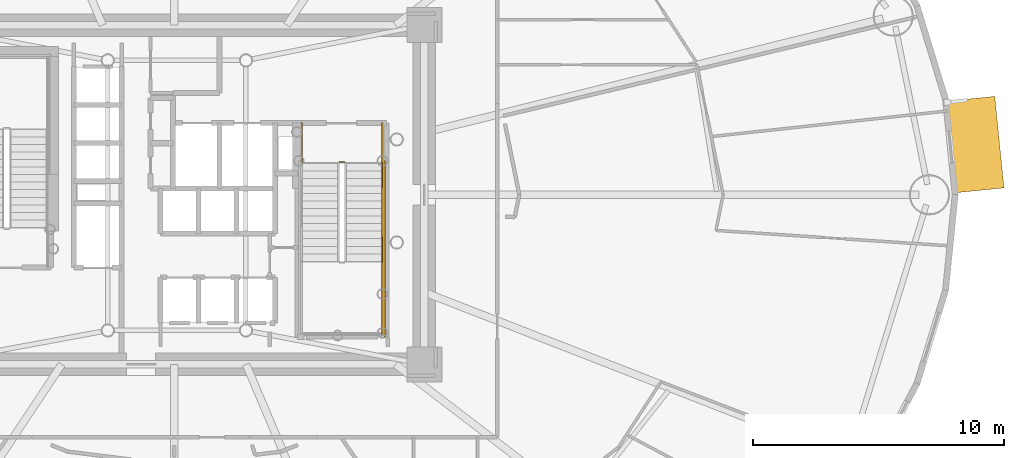
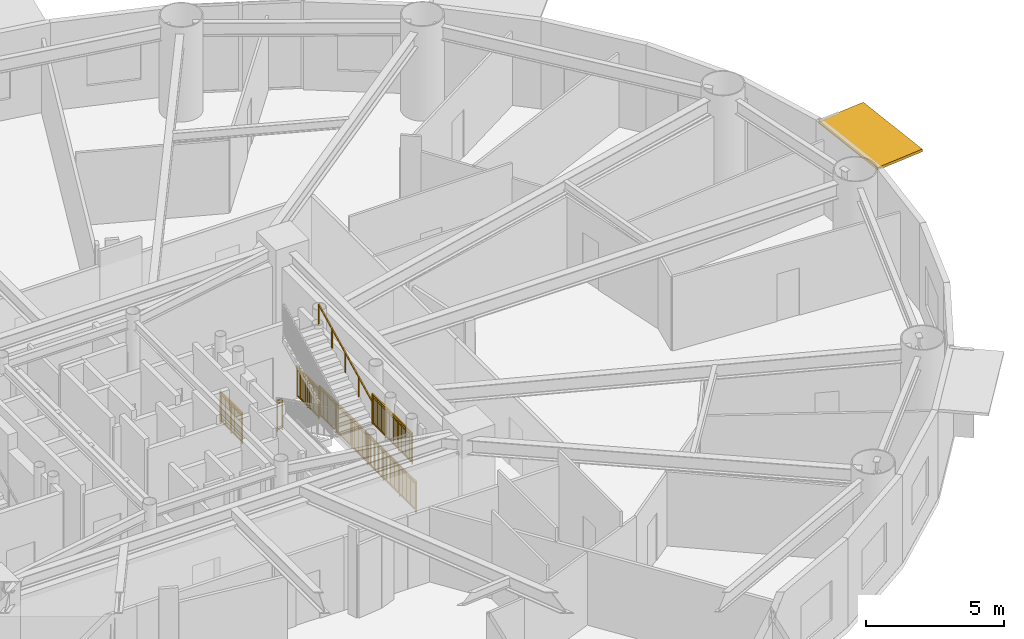
# One storey, part 20 of 21: 6 railings, 1 shading device.
"""IFC4 building model written with IfcOpenShell, lengths in metres."""

from ifc_helpers import new_model, si_unit, direction, frame, origin, origin_2d, place, context, subcontext, project, spatial, rectangle, extrude, source, transform, mapped, material, layer, layer_set, type_object, element, save


model = new_model("IFC4")

# Units and contexts
model_context = context("Model", 3, precision=1e-05, world=origin(), true_north=direction((0.0, 1.0)))
body_context = subcontext(model_context, "Body", "Model", "MODEL_VIEW")
ifc_project = project(units=[si_unit("LENGTHUNIT", "METRE"), si_unit("AREAUNIT", "SQUARE_METRE"), si_unit("VOLUMEUNIT", "CUBIC_METRE"), si_unit("PLANEANGLEUNIT", "RADIAN"), si_unit("MASSUNIT", "GRAM", prefix="KILO")], contexts=[model_context])

# Site, building, storey
site_placement = place(None, origin())
site = spatial("IfcSite", under=ifc_project, at=site_placement, CompositionType="ELEMENT")
building_placement = place(site_placement, origin())
building = spatial("IfcBuilding", under=site, at=building_placement, Name="Linh Dai School and Residence Tower", CompositionType="ELEMENT")
storey_placement = place(building_placement, frame((0.0, 0.0, 82.800048828125)))
storey = spatial("IfcBuildingStorey", under=building, at=storey_placement, Name="L19", CompositionType="ELEMENT", Elevation=82.800048828125)

# Shading device
ifc_material_1 = material(Name="Terracotta Ceramic Sunshade", Category="masonry")
ifc_layer = layer(ifc_material_1, 0.1201171875)
ifc_layer_set = layer_set([ifc_layer], Name="Terracotta Ceramic Sunshade")
shading_device_type = type_object("IfcShadingDeviceType", Name="SHD-TC-2000", PredefinedType="USERDEFINED", material=ifc_layer_set)
shared_shape_1 = source(origin(), body_context, "Body", "SweptSolid", [
    extrude(rectangle(XDim=3.663330078125, YDim=2.0, at=origin_2d()), origin(), (0.0, 0.0, 1.0), 0.1201171875),
])
shading_device_placement = place(storey_placement, frame((67.83935546875, 28.994384765625, 3.760009765625), z_axis=(0.0, 0.0, 1.0), x_axis=(0.100009387998, -0.994986493533, 0.0)))
element("IfcShadingDevice", 1, at=shading_device_placement, inside=storey, type_object=shading_device_type, Name="L19 Terracotta Horizontal Sunshade Band 01", ObjectType="SUNSHADE", PredefinedType="USERDEFINED", context=body_context, shape_type="MappedRepresentation", body=[
    mapped(shared_shape_1, transform((0.0, 0.0, 0.0), x_axis=(1.0, 0.0, 0.0), y_axis=(0.0, 1.0, 0.0), z_axis=(0.0, 0.0, 1.0), scale=1.0)),
])

# Railings
ifc_material_2 = material(Name="Structural Steel S355JR", Category="steel")
railing_type_1 = type_object("IfcRailingType", Name="RL-ST-GUARD-1400", PredefinedType="GUARDRAIL", material=ifc_material_2)
shared_shape_2 = source(origin(), body_context, "Body", "SweptSolid", [
    extrude(rectangle(XDim=0.048095703125, YDim=0.048095703125, at=origin_2d()), frame((0.0, 0.0, 1.3759765625), z_axis=(1.0, 0.0, 0.0), x_axis=(0.0, 1.0, 0.0)), (0.0, 0.0, 1.0), 0.199951171875),
    extrude(rectangle(XDim=0.048095703125, YDim=0.048095703125, at=origin_2d()), frame((0.0, 0.0, 0.10009765625), z_axis=(1.0, 0.0, 0.0), x_axis=(0.0, 1.0, 0.0)), (0.0, 0.0, 1.0), 0.199951171875),
    extrude(rectangle(XDim=0.030029296875, YDim=0.030029296875, at=origin_2d()), frame((0.0, 0.0, 1.239990234375), z_axis=(1.0, 0.0, 0.0), x_axis=(0.0, 1.0, 0.0)), (0.0, 0.0, 1.0), 0.199951171875),
    extrude(rectangle(XDim=0.0419921875, YDim=0.0419921875, at=origin_2d()), origin(), (0.0, 0.0, 1.0), 1.3759765625),
    extrude(rectangle(XDim=0.0419921875, YDim=0.0419921875, at=origin_2d()), frame((0.199951171875, 0.0, 0.0)), (0.0, 0.0, 1.0), 1.3759765625),
])
railing_1_placement = place(storey_placement, frame((42.570068359375, 28.300048828125, 0.0)))
element("IfcRailing", 2, at=railing_1_placement, inside=storey, type_object=railing_type_1, Name="L19 ST2 stair guard 7", PredefinedType="GUARDRAIL", context=body_context, shape_type="MappedRepresentation", body=[
    mapped(shared_shape_2, transform((0.0, 0.0, 0.0), x_axis=(1.0, 0.0, 0.0), y_axis=(0.0, 1.0, 0.0), z_axis=(0.0, 0.0, 1.0), scale=1.0)),
])
shared_shape_3 = source(origin(), body_context, "Body", "SweptSolid", [
    extrude(rectangle(XDim=0.048095703125, YDim=0.048095703125, at=origin_2d()), frame((0.0, 0.0, 1.3759765625), z_axis=(0.0, -1.0, 0.0), x_axis=(1.0, 0.0, 0.0)), (0.0, 0.0, 1.0), 1.60009765625),
    extrude(rectangle(XDim=0.048095703125, YDim=0.048095703125, at=origin_2d()), frame((0.0, 0.0, 0.10009765625), z_axis=(0.0, -1.0, 0.0), x_axis=(1.0, 0.0, 0.0)), (0.0, 0.0, 1.0), 1.60009765625),
    extrude(rectangle(XDim=0.030029296875, YDim=0.030029296875, at=origin_2d()), frame((0.0, 0.0, 1.239990234375), z_axis=(0.0, -1.0, 0.0), x_axis=(1.0, 0.0, 0.0)), (0.0, 0.0, 1.0), 1.60009765625),
    extrude(rectangle(XDim=0.02001953125, YDim=0.02001953125, at=origin_2d()), frame((0.0, -0.09423828125, 0.10009765625)), (0.0, 0.0, 1.0), 1.251708984375),
    extrude(rectangle(XDim=0.02001953125, YDim=0.02001953125, at=origin_2d()), frame((0.0, -0.188232421875, 0.10009765625)), (0.0, 0.0, 1.0), 1.251708984375),
    extrude(rectangle(XDim=0.02001953125, YDim=0.02001953125, at=origin_2d()), frame((0.0, -0.282470703125, 0.10009765625)), (0.0, 0.0, 1.0), 1.251708984375),
    extrude(rectangle(XDim=0.02001953125, YDim=0.02001953125, at=origin_2d()), frame((0.0, -0.37646484375, 0.10009765625)), (0.0, 0.0, 1.0), 1.251708984375),
    extrude(rectangle(XDim=0.02001953125, YDim=0.02001953125, at=origin_2d()), frame((0.0, -0.470703125, 0.10009765625)), (0.0, 0.0, 1.0), 1.251708984375),
    extrude(rectangle(XDim=0.02001953125, YDim=0.02001953125, at=origin_2d()), frame((0.0, -0.564697265625, 0.10009765625)), (0.0, 0.0, 1.0), 1.251708984375),
    extrude(rectangle(XDim=0.02001953125, YDim=0.02001953125, at=origin_2d()), frame((0.0, -0.658935546875, 0.10009765625)), (0.0, 0.0, 1.0), 1.251708984375),
    extrude(rectangle(XDim=0.02001953125, YDim=0.02001953125, at=origin_2d()), frame((0.0, -0.7529296875, 0.10009765625)), (0.0, 0.0, 1.0), 1.251708984375),
    extrude(rectangle(XDim=0.02001953125, YDim=0.02001953125, at=origin_2d()), frame((0.0, -0.84716796875, 0.10009765625)), (0.0, 0.0, 1.0), 1.251708984375),
    extrude(rectangle(XDim=0.02001953125, YDim=0.02001953125, at=origin_2d()), frame((0.0, -0.941162109375, 0.10009765625)), (0.0, 0.0, 1.0), 1.251708984375),
    extrude(rectangle(XDim=0.02001953125, YDim=0.02001953125, at=origin_2d()), frame((0.0, -1.035400390625, 0.10009765625)), (0.0, 0.0, 1.0), 1.251708984375),
    extrude(rectangle(XDim=0.02001953125, YDim=0.02001953125, at=origin_2d()), frame((0.0, -1.12939453125, 0.10009765625)), (0.0, 0.0, 1.0), 1.251708984375),
    extrude(rectangle(XDim=0.02001953125, YDim=0.02001953125, at=origin_2d()), frame((0.0, -1.2236328125, 0.10009765625)), (0.0, 0.0, 1.0), 1.251708984375),
    extrude(rectangle(XDim=0.02001953125, YDim=0.02001953125, at=origin_2d()), frame((0.0, -1.317626953125, 0.10009765625)), (0.0, 0.0, 1.0), 1.251708984375),
    extrude(rectangle(XDim=0.02001953125, YDim=0.02001953125, at=origin_2d()), frame((0.0, -1.411865234375, 0.10009765625)), (0.0, 0.0, 1.0), 1.251708984375),
    extrude(rectangle(XDim=0.02001953125, YDim=0.02001953125, at=origin_2d()), frame((0.0, -1.505859375, 0.10009765625)), (0.0, 0.0, 1.0), 1.251708984375),
    extrude(rectangle(XDim=0.0419921875, YDim=0.0419921875, at=origin_2d()), origin(), (0.0, 0.0, 1.0), 1.3759765625),
    extrude(rectangle(XDim=0.0419921875, YDim=0.0419921875, at=origin_2d()), frame((0.0, -0.800048828125, 0.0)), (0.0, 0.0, 1.0), 1.3759765625),
    extrude(rectangle(XDim=0.0419921875, YDim=0.0419921875, at=origin_2d()), frame((0.0, -1.60009765625, 0.0)), (0.0, 0.0, 1.0), 1.3759765625),
])
for number, where, name in (
    (3, (41.070068359375, 29.85009765625, 0.0), "L19 ST2 stair guard 8"),
    (4, (44.27001953125, 29.85009765625, 0.0), "L19 ST2 stair guard 9"),
):
    element("IfcRailing", number, at=place(storey_placement, frame(where)), inside=storey, type_object=railing_type_1, Name=name, PredefinedType="GUARDRAIL", context=body_context, shape_type="MappedRepresentation", body=[
        mapped(shared_shape_3, transform((0.0, 0.0, 0.0), x_axis=(1.0, 0.0, 0.0), y_axis=(0.0, 1.0, 0.0), z_axis=(0.0, 0.0, 1.0), scale=1.0)),
    ])
shared_shape_4 = source(origin(), body_context, "Body", "SweptSolid", [
    extrude(rectangle(XDim=0.048095703125, YDim=0.048095703125, at=origin_2d()), frame((0.0, 0.0, 1.3759765625), z_axis=(0.0, -1.0, 0.0), x_axis=(1.0, 0.0, 0.0)), (0.0, 0.0, 1.0), 7.0),
    extrude(rectangle(XDim=0.048095703125, YDim=0.048095703125, at=origin_2d()), frame((0.0, 0.0, 0.10009765625), z_axis=(0.0, -1.0, 0.0), x_axis=(1.0, 0.0, 0.0)), (0.0, 0.0, 1.0), 7.0),
    extrude(rectangle(XDim=0.030029296875, YDim=0.030029296875, at=origin_2d()), frame((0.0, 0.0, 1.239990234375), z_axis=(0.0, -1.0, 0.0), x_axis=(1.0, 0.0, 0.0)), (0.0, 0.0, 1.0), 7.0),
    extrude(rectangle(XDim=0.02001953125, YDim=0.02001953125, at=origin_2d()), frame((0.0, -0.09716796875, 0.10009765625)), (0.0, 0.0, 1.0), 1.251708984375),
    extrude(rectangle(XDim=0.02001953125, YDim=0.02001953125, at=origin_2d()), frame((0.0, -0.1943359375, 0.10009765625)), (0.0, 0.0, 1.0), 1.251708984375),
    extrude(rectangle(XDim=0.02001953125, YDim=0.02001953125, at=origin_2d()), frame((0.0, -0.291748046875, 0.10009765625)), (0.0, 0.0, 1.0), 1.251708984375),
    extrude(rectangle(XDim=0.02001953125, YDim=0.02001953125, at=origin_2d()), frame((0.0, -0.388916015625, 0.10009765625)), (0.0, 0.0, 1.0), 1.251708984375),
    extrude(rectangle(XDim=0.02001953125, YDim=0.02001953125, at=origin_2d()), frame((0.0, -0.486083984375, 0.10009765625)), (0.0, 0.0, 1.0), 1.251708984375),
    extrude(rectangle(XDim=0.02001953125, YDim=0.02001953125, at=origin_2d()), frame((0.0, -0.583251953125, 0.10009765625)), (0.0, 0.0, 1.0), 1.251708984375),
    extrude(rectangle(XDim=0.02001953125, YDim=0.02001953125, at=origin_2d()), frame((0.0, -0.6806640625, 0.10009765625)), (0.0, 0.0, 1.0), 1.251708984375),
    extrude(rectangle(XDim=0.02001953125, YDim=0.02001953125, at=origin_2d()), frame((0.0, -0.77783203125, 0.10009765625)), (0.0, 0.0, 1.0), 1.251708984375),
    extrude(rectangle(XDim=0.02001953125, YDim=0.02001953125, at=origin_2d()), frame((0.0, -0.875, 0.10009765625)), (0.0, 0.0, 1.0), 1.251708984375),
    extrude(rectangle(XDim=0.02001953125, YDim=0.02001953125, at=origin_2d()), frame((0.0, -0.97216796875, 0.10009765625)), (0.0, 0.0, 1.0), 1.251708984375),
    extrude(rectangle(XDim=0.02001953125, YDim=0.02001953125, at=origin_2d()), frame((0.0, -1.0693359375, 0.10009765625)), (0.0, 0.0, 1.0), 1.251708984375),
    extrude(rectangle(XDim=0.02001953125, YDim=0.02001953125, at=origin_2d()), frame((0.0, -1.263916015625, 0.10009765625)), (0.0, 0.0, 1.0), 1.251708984375),
    extrude(rectangle(XDim=0.02001953125, YDim=0.02001953125, at=origin_2d()), frame((0.0, -1.361083984375, 0.10009765625)), (0.0, 0.0, 1.0), 1.251708984375),
    extrude(rectangle(XDim=0.02001953125, YDim=0.02001953125, at=origin_2d()), frame((0.0, -1.458251953125, 0.10009765625)), (0.0, 0.0, 1.0), 1.251708984375),
    extrude(rectangle(XDim=0.02001953125, YDim=0.02001953125, at=origin_2d()), frame((0.0, -1.5556640625, 0.10009765625)), (0.0, 0.0, 1.0), 1.251708984375),
    extrude(rectangle(XDim=0.02001953125, YDim=0.02001953125, at=origin_2d()), frame((0.0, -1.65283203125, 0.10009765625)), (0.0, 0.0, 1.0), 1.251708984375),
    extrude(rectangle(XDim=0.02001953125, YDim=0.02001953125, at=origin_2d()), frame((0.0, -1.75, 0.10009765625)), (0.0, 0.0, 1.0), 1.251708984375),
    extrude(rectangle(XDim=0.02001953125, YDim=0.02001953125, at=origin_2d()), frame((0.0, -1.84716796875, 0.10009765625)), (0.0, 0.0, 1.0), 1.251708984375),
    extrude(rectangle(XDim=0.02001953125, YDim=0.02001953125, at=origin_2d()), frame((0.0, -1.9443359375, 0.10009765625)), (0.0, 0.0, 1.0), 1.251708984375),
    extrude(rectangle(XDim=0.02001953125, YDim=0.02001953125, at=origin_2d()), frame((0.0, -2.041748046875, 0.10009765625)), (0.0, 0.0, 1.0), 1.251708984375),
    extrude(rectangle(XDim=0.02001953125, YDim=0.02001953125, at=origin_2d()), frame((0.0, -2.138916015625, 0.10009765625)), (0.0, 0.0, 1.0), 1.251708984375),
    extrude(rectangle(XDim=0.02001953125, YDim=0.02001953125, at=origin_2d()), frame((0.0, -2.236083984375, 0.10009765625)), (0.0, 0.0, 1.0), 1.251708984375),
    extrude(rectangle(XDim=0.02001953125, YDim=0.02001953125, at=origin_2d()), frame((0.0, -2.4306640625, 0.10009765625)), (0.0, 0.0, 1.0), 1.251708984375),
    extrude(rectangle(XDim=0.02001953125, YDim=0.02001953125, at=origin_2d()), frame((0.0, -2.52783203125, 0.10009765625)), (0.0, 0.0, 1.0), 1.251708984375),
    extrude(rectangle(XDim=0.02001953125, YDim=0.02001953125, at=origin_2d()), frame((0.0, -2.625, 0.10009765625)), (0.0, 0.0, 1.0), 1.251708984375),
    extrude(rectangle(XDim=0.02001953125, YDim=0.02001953125, at=origin_2d()), frame((0.0, -2.72216796875, 0.10009765625)), (0.0, 0.0, 1.0), 1.251708984375),
    extrude(rectangle(XDim=0.02001953125, YDim=0.02001953125, at=origin_2d()), frame((0.0, -2.8193359375, 0.10009765625)), (0.0, 0.0, 1.0), 1.251708984375),
    extrude(rectangle(XDim=0.02001953125, YDim=0.02001953125, at=origin_2d()), frame((0.0, -2.916748046875, 0.10009765625)), (0.0, 0.0, 1.0), 1.251708984375),
    extrude(rectangle(XDim=0.02001953125, YDim=0.02001953125, at=origin_2d()), frame((0.0, -3.013916015625, 0.10009765625)), (0.0, 0.0, 1.0), 1.251708984375),
    extrude(rectangle(XDim=0.02001953125, YDim=0.02001953125, at=origin_2d()), frame((0.0, -3.111083984375, 0.10009765625)), (0.0, 0.0, 1.0), 1.251708984375),
    extrude(rectangle(XDim=0.02001953125, YDim=0.02001953125, at=origin_2d()), frame((0.0, -3.208251953125, 0.10009765625)), (0.0, 0.0, 1.0), 1.251708984375),
    extrude(rectangle(XDim=0.02001953125, YDim=0.02001953125, at=origin_2d()), frame((0.0, -3.3056640625, 0.10009765625)), (0.0, 0.0, 1.0), 1.251708984375),
    extrude(rectangle(XDim=0.02001953125, YDim=0.02001953125, at=origin_2d()), frame((0.0, -3.40283203125, 0.10009765625)), (0.0, 0.0, 1.0), 1.251708984375),
    extrude(rectangle(XDim=0.02001953125, YDim=0.02001953125, at=origin_2d()), frame((0.0, -3.59716796875, 0.10009765625)), (0.0, 0.0, 1.0), 1.251708984375),
    extrude(rectangle(XDim=0.02001953125, YDim=0.02001953125, at=origin_2d()), frame((0.0, -3.6943359375, 0.10009765625)), (0.0, 0.0, 1.0), 1.251708984375),
    extrude(rectangle(XDim=0.02001953125, YDim=0.02001953125, at=origin_2d()), frame((0.0, -3.791748046875, 0.10009765625)), (0.0, 0.0, 1.0), 1.251708984375),
    extrude(rectangle(XDim=0.02001953125, YDim=0.02001953125, at=origin_2d()), frame((0.0, -3.888916015625, 0.10009765625)), (0.0, 0.0, 1.0), 1.251708984375),
    extrude(rectangle(XDim=0.02001953125, YDim=0.02001953125, at=origin_2d()), frame((0.0, -3.986083984375, 0.10009765625)), (0.0, 0.0, 1.0), 1.251708984375),
    extrude(rectangle(XDim=0.02001953125, YDim=0.02001953125, at=origin_2d()), frame((0.0, -4.083251953125, 0.10009765625)), (0.0, 0.0, 1.0), 1.251708984375),
    extrude(rectangle(XDim=0.02001953125, YDim=0.02001953125, at=origin_2d()), frame((0.0, -4.1806640625, 0.10009765625)), (0.0, 0.0, 1.0), 1.251708984375),
    extrude(rectangle(XDim=0.02001953125, YDim=0.02001953125, at=origin_2d()), frame((0.0, -4.27783203125, 0.10009765625)), (0.0, 0.0, 1.0), 1.251708984375),
    extrude(rectangle(XDim=0.02001953125, YDim=0.02001953125, at=origin_2d()), frame((0.0, -4.375, 0.10009765625)), (0.0, 0.0, 1.0), 1.251708984375),
    extrude(rectangle(XDim=0.02001953125, YDim=0.02001953125, at=origin_2d()), frame((0.0, -4.47216796875, 0.10009765625)), (0.0, 0.0, 1.0), 1.251708984375),
    extrude(rectangle(XDim=0.02001953125, YDim=0.02001953125, at=origin_2d()), frame((0.0, -4.5693359375, 0.10009765625)), (0.0, 0.0, 1.0), 1.251708984375),
    extrude(rectangle(XDim=0.02001953125, YDim=0.02001953125, at=origin_2d()), frame((0.0, -4.763916015625, 0.10009765625)), (0.0, 0.0, 1.0), 1.251708984375),
    extrude(rectangle(XDim=0.02001953125, YDim=0.02001953125, at=origin_2d()), frame((0.0, -4.861083984375, 0.10009765625)), (0.0, 0.0, 1.0), 1.251708984375),
    extrude(rectangle(XDim=0.02001953125, YDim=0.02001953125, at=origin_2d()), frame((0.0, -4.958251953125, 0.10009765625)), (0.0, 0.0, 1.0), 1.251708984375),
    extrude(rectangle(XDim=0.02001953125, YDim=0.02001953125, at=origin_2d()), frame((0.0, -5.0556640625, 0.10009765625)), (0.0, 0.0, 1.0), 1.251708984375),
    extrude(rectangle(XDim=0.02001953125, YDim=0.02001953125, at=origin_2d()), frame((0.0, -5.15283203125, 0.10009765625)), (0.0, 0.0, 1.0), 1.251708984375),
    extrude(rectangle(XDim=0.02001953125, YDim=0.02001953125, at=origin_2d()), frame((0.0, -5.25, 0.10009765625)), (0.0, 0.0, 1.0), 1.251708984375),
    extrude(rectangle(XDim=0.02001953125, YDim=0.02001953125, at=origin_2d()), frame((0.0, -5.34716796875, 0.10009765625)), (0.0, 0.0, 1.0), 1.251708984375),
    extrude(rectangle(XDim=0.02001953125, YDim=0.02001953125, at=origin_2d()), frame((0.0, -5.4443359375, 0.10009765625)), (0.0, 0.0, 1.0), 1.251708984375),
    extrude(rectangle(XDim=0.02001953125, YDim=0.02001953125, at=origin_2d()), frame((0.0, -5.541748046875, 0.10009765625)), (0.0, 0.0, 1.0), 1.251708984375),
    extrude(rectangle(XDim=0.02001953125, YDim=0.02001953125, at=origin_2d()), frame((0.0, -5.638916015625, 0.10009765625)), (0.0, 0.0, 1.0), 1.251708984375),
    extrude(rectangle(XDim=0.02001953125, YDim=0.02001953125, at=origin_2d()), frame((0.0, -5.736083984375, 0.10009765625)), (0.0, 0.0, 1.0), 1.251708984375),
    extrude(rectangle(XDim=0.02001953125, YDim=0.02001953125, at=origin_2d()), frame((0.0, -5.9306640625, 0.10009765625)), (0.0, 0.0, 1.0), 1.251708984375),
    extrude(rectangle(XDim=0.02001953125, YDim=0.02001953125, at=origin_2d()), frame((0.0, -6.02783203125, 0.10009765625)), (0.0, 0.0, 1.0), 1.251708984375),
    extrude(rectangle(XDim=0.02001953125, YDim=0.02001953125, at=origin_2d()), frame((0.0, -6.125, 0.10009765625)), (0.0, 0.0, 1.0), 1.251708984375),
    extrude(rectangle(XDim=0.02001953125, YDim=0.02001953125, at=origin_2d()), frame((0.0, -6.22216796875, 0.10009765625)), (0.0, 0.0, 1.0), 1.251708984375),
    extrude(rectangle(XDim=0.02001953125, YDim=0.02001953125, at=origin_2d()), frame((0.0, -6.3193359375, 0.10009765625)), (0.0, 0.0, 1.0), 1.251708984375),
    extrude(rectangle(XDim=0.02001953125, YDim=0.02001953125, at=origin_2d()), frame((0.0, -6.416748046875, 0.10009765625)), (0.0, 0.0, 1.0), 1.251708984375),
    extrude(rectangle(XDim=0.02001953125, YDim=0.02001953125, at=origin_2d()), frame((0.0, -6.513916015625, 0.10009765625)), (0.0, 0.0, 1.0), 1.251708984375),
    extrude(rectangle(XDim=0.02001953125, YDim=0.02001953125, at=origin_2d()), frame((0.0, -6.611083984375, 0.10009765625)), (0.0, 0.0, 1.0), 1.251708984375),
    extrude(rectangle(XDim=0.02001953125, YDim=0.02001953125, at=origin_2d()), frame((0.0, -6.708251953125, 0.10009765625)), (0.0, 0.0, 1.0), 1.251708984375),
    extrude(rectangle(XDim=0.02001953125, YDim=0.02001953125, at=origin_2d()), frame((0.0, -6.8056640625, 0.10009765625)), (0.0, 0.0, 1.0), 1.251708984375),
    extrude(rectangle(XDim=0.02001953125, YDim=0.02001953125, at=origin_2d()), frame((0.0, -6.90283203125, 0.10009765625)), (0.0, 0.0, 1.0), 1.251708984375),
    extrude(rectangle(XDim=0.0419921875, YDim=0.0419921875, at=origin_2d()), origin(), (0.0, 0.0, 1.0), 1.3759765625),
    extrude(rectangle(XDim=0.0419921875, YDim=0.0419921875, at=origin_2d()), frame((0.0, -1.166748046875, 0.0)), (0.0, 0.0, 1.0), 1.3759765625),
    extrude(rectangle(XDim=0.0419921875, YDim=0.0419921875, at=origin_2d()), frame((0.0, -2.333251953125, 0.0)), (0.0, 0.0, 1.0), 1.3759765625),
    extrude(rectangle(XDim=0.0419921875, YDim=0.0419921875, at=origin_2d()), frame((0.0, -3.5, 0.0)), (0.0, 0.0, 1.0), 1.3759765625),
    extrude(rectangle(XDim=0.0419921875, YDim=0.0419921875, at=origin_2d()), frame((0.0, -4.666748046875, 0.0)), (0.0, 0.0, 1.0), 1.3759765625),
    extrude(rectangle(XDim=0.0419921875, YDim=0.0419921875, at=origin_2d()), frame((0.0, -5.833251953125, 0.0)), (0.0, 0.0, 1.0), 1.3759765625),
    extrude(rectangle(XDim=0.0419921875, YDim=0.0419921875, at=origin_2d()), frame((0.0, -7.0, 0.0)), (0.0, 0.0, 1.0), 1.3759765625),
])
railing_2_placement = place(storey_placement, frame((44.3701171875, 28.35009765625, 0.0)))
element("IfcRailing", 5, at=railing_2_placement, inside=storey, type_object=railing_type_1, Name="L19 ST2 stair guard 11", PredefinedType="GUARDRAIL", context=body_context, shape_type="MappedRepresentation", body=[
    mapped(shared_shape_4, transform((0.0, 0.0, 0.0), x_axis=(1.0, 0.0, 0.0), y_axis=(0.0, 1.0, 0.0), z_axis=(0.0, 0.0, 1.0), scale=1.0)),
])
shared_shape_5 = source(origin(), body_context, "Body", "SweptSolid", [
    extrude(rectangle(XDim=0.048095703125, YDim=0.048095703125, at=origin_2d()), frame((0.0, 0.0, 1.3759765625), z_axis=(0.0, -1.0, 0.0), x_axis=(1.0, 0.0, 0.0)), (0.0, 0.0, 1.0), 2.900146484375),
    extrude(rectangle(XDim=0.048095703125, YDim=0.048095703125, at=origin_2d()), frame((0.0, 0.0, 0.10009765625), z_axis=(0.0, -1.0, 0.0), x_axis=(1.0, 0.0, 0.0)), (0.0, 0.0, 1.0), 2.900146484375),
    extrude(rectangle(XDim=0.030029296875, YDim=0.030029296875, at=origin_2d()), frame((0.0, 0.0, 1.239990234375), z_axis=(0.0, -1.0, 0.0), x_axis=(1.0, 0.0, 0.0)), (0.0, 0.0, 1.0), 2.900146484375),
    extrude(rectangle(XDim=0.02001953125, YDim=0.02001953125, at=origin_2d()), frame((0.0, -0.0966796875, 0.10009765625)), (0.0, 0.0, 1.0), 1.251708984375),
    extrude(rectangle(XDim=0.02001953125, YDim=0.02001953125, at=origin_2d()), frame((0.0, -0.193359375, 0.10009765625)), (0.0, 0.0, 1.0), 1.251708984375),
    extrude(rectangle(XDim=0.02001953125, YDim=0.02001953125, at=origin_2d()), frame((0.0, -0.2900390625, 0.10009765625)), (0.0, 0.0, 1.0), 1.251708984375),
    extrude(rectangle(XDim=0.02001953125, YDim=0.02001953125, at=origin_2d()), frame((0.0, -0.38671875, 0.10009765625)), (0.0, 0.0, 1.0), 1.251708984375),
    extrude(rectangle(XDim=0.02001953125, YDim=0.02001953125, at=origin_2d()), frame((0.0, -0.4833984375, 0.10009765625)), (0.0, 0.0, 1.0), 1.251708984375),
    extrude(rectangle(XDim=0.02001953125, YDim=0.02001953125, at=origin_2d()), frame((0.0, -0.580078125, 0.10009765625)), (0.0, 0.0, 1.0), 1.251708984375),
    extrude(rectangle(XDim=0.02001953125, YDim=0.02001953125, at=origin_2d()), frame((0.0, -0.6767578125, 0.10009765625)), (0.0, 0.0, 1.0), 1.251708984375),
    extrude(rectangle(XDim=0.02001953125, YDim=0.02001953125, at=origin_2d()), frame((0.0, -0.7734375, 0.10009765625)), (0.0, 0.0, 1.0), 1.251708984375),
    extrude(rectangle(XDim=0.02001953125, YDim=0.02001953125, at=origin_2d()), frame((0.0, -0.8701171875, 0.10009765625)), (0.0, 0.0, 1.0), 1.251708984375),
    extrude(rectangle(XDim=0.02001953125, YDim=0.02001953125, at=origin_2d()), frame((0.0, -1.0634765625, 0.10009765625)), (0.0, 0.0, 1.0), 1.251708984375),
    extrude(rectangle(XDim=0.02001953125, YDim=0.02001953125, at=origin_2d()), frame((0.0, -1.16015625, 0.10009765625)), (0.0, 0.0, 1.0), 1.251708984375),
    extrude(rectangle(XDim=0.02001953125, YDim=0.02001953125, at=origin_2d()), frame((0.0, -1.2568359375, 0.10009765625)), (0.0, 0.0, 1.0), 1.251708984375),
    extrude(rectangle(XDim=0.02001953125, YDim=0.02001953125, at=origin_2d()), frame((0.0, -1.353515625, 0.10009765625)), (0.0, 0.0, 1.0), 1.251708984375),
    extrude(rectangle(XDim=0.02001953125, YDim=0.02001953125, at=origin_2d()), frame((0.0, -1.4501953125, 0.10009765625)), (0.0, 0.0, 1.0), 1.251708984375),
    extrude(rectangle(XDim=0.02001953125, YDim=0.02001953125, at=origin_2d()), frame((0.0, -1.546630859375, 0.10009765625)), (0.0, 0.0, 1.0), 1.251708984375),
    extrude(rectangle(XDim=0.02001953125, YDim=0.02001953125, at=origin_2d()), frame((0.0, -1.643310546875, 0.10009765625)), (0.0, 0.0, 1.0), 1.251708984375),
    extrude(rectangle(XDim=0.02001953125, YDim=0.02001953125, at=origin_2d()), frame((0.0, -1.739990234375, 0.10009765625)), (0.0, 0.0, 1.0), 1.251708984375),
    extrude(rectangle(XDim=0.02001953125, YDim=0.02001953125, at=origin_2d()), frame((0.0, -1.836669921875, 0.10009765625)), (0.0, 0.0, 1.0), 1.251708984375),
    extrude(rectangle(XDim=0.02001953125, YDim=0.02001953125, at=origin_2d()), frame((0.0, -2.030029296875, 0.10009765625)), (0.0, 0.0, 1.0), 1.251708984375),
    extrude(rectangle(XDim=0.02001953125, YDim=0.02001953125, at=origin_2d()), frame((0.0, -2.126708984375, 0.10009765625)), (0.0, 0.0, 1.0), 1.251708984375),
    extrude(rectangle(XDim=0.02001953125, YDim=0.02001953125, at=origin_2d()), frame((0.0, -2.223388671875, 0.10009765625)), (0.0, 0.0, 1.0), 1.251708984375),
    extrude(rectangle(XDim=0.02001953125, YDim=0.02001953125, at=origin_2d()), frame((0.0, -2.320068359375, 0.10009765625)), (0.0, 0.0, 1.0), 1.251708984375),
    extrude(rectangle(XDim=0.02001953125, YDim=0.02001953125, at=origin_2d()), frame((0.0, -2.416748046875, 0.10009765625)), (0.0, 0.0, 1.0), 1.251708984375),
    extrude(rectangle(XDim=0.02001953125, YDim=0.02001953125, at=origin_2d()), frame((0.0, -2.513427734375, 0.10009765625)), (0.0, 0.0, 1.0), 1.251708984375),
    extrude(rectangle(XDim=0.02001953125, YDim=0.02001953125, at=origin_2d()), frame((0.0, -2.610107421875, 0.10009765625)), (0.0, 0.0, 1.0), 1.251708984375),
    extrude(rectangle(XDim=0.02001953125, YDim=0.02001953125, at=origin_2d()), frame((0.0, -2.706787109375, 0.10009765625)), (0.0, 0.0, 1.0), 1.251708984375),
    extrude(rectangle(XDim=0.02001953125, YDim=0.02001953125, at=origin_2d()), frame((0.0, -2.803466796875, 0.10009765625)), (0.0, 0.0, 1.0), 1.251708984375),
    extrude(rectangle(XDim=0.0419921875, YDim=0.0419921875, at=origin_2d()), origin(), (0.0, 0.0, 1.0), 1.3759765625),
    extrude(rectangle(XDim=0.0419921875, YDim=0.0419921875, at=origin_2d()), frame((0.0, -0.966796875, 0.0)), (0.0, 0.0, 1.0), 1.3759765625),
    extrude(rectangle(XDim=0.0419921875, YDim=0.0419921875, at=origin_2d()), frame((0.0, -1.933349609375, 0.0)), (0.0, 0.0, 1.0), 1.3759765625),
    extrude(rectangle(XDim=0.0419921875, YDim=0.0419921875, at=origin_2d()), frame((0.0, -2.900146484375, 0.0)), (0.0, 0.0, 1.0), 1.3759765625),
])
railing_3_placement = place(storey_placement, frame((44.27001953125, 24.35009765625, 2.099853515625)))
element("IfcRailing", 6, at=railing_3_placement, inside=storey, type_object=railing_type_1, Name="L19 ST2 stair guard 4", PredefinedType="GUARDRAIL", context=body_context, shape_type="MappedRepresentation", body=[
    mapped(shared_shape_5, transform((0.0, 0.0, 0.0), x_axis=(1.0, 0.0, 0.0), y_axis=(0.0, 1.0, 0.0), z_axis=(0.0, 0.0, 1.0), scale=1.0)),
])
ifc_material_3 = material(Name="Brushed Stainless Steel Handrail", Category="steel")
railing_type_2 = type_object("IfcRailingType", Name="RL-ST-HANDRAIL-900", PredefinedType="HANDRAIL", material=ifc_material_3)
shared_shape_6 = source(origin(), body_context, "Body", "SweptSolid", [
    extrude(rectangle(XDim=0.048095703125, YDim=0.048095703125, at=origin_2d()), frame((0.0, 0.0, 0.8759765625), z_axis=(0.0, 0.894427191, 0.4472135955), x_axis=(-1.0, 0.0, 0.0)), (0.0, 0.0, 1.0), 4.360107421875),
    extrude(rectangle(XDim=0.0419921875, YDim=0.0419921875, at=origin_2d()), origin(), (0.0, 0.0, 1.0), 0.8759765625),
    extrude(rectangle(XDim=0.0419921875, YDim=0.0419921875, at=origin_2d()), frame((0.0, 0.97509765625, 0.487548828125)), (0.0, 0.0, 1.0), 0.8759765625),
    extrude(rectangle(XDim=0.0419921875, YDim=0.0419921875, at=origin_2d()), frame((0.0, 1.949951171875, 0.97509765625)), (0.0, 0.0, 1.0), 0.8759765625),
    extrude(rectangle(XDim=0.0419921875, YDim=0.0419921875, at=origin_2d()), frame((0.0, 2.9248046875, 1.46240234375)), (0.0, 0.0, 1.0), 0.8759765625),
    extrude(rectangle(XDim=0.0419921875, YDim=0.0419921875, at=origin_2d()), frame((0.0, 3.89990234375, 1.949951171875)), (0.0, 0.0, 1.0), 0.8759765625),
])
railing_4_placement = place(storey_placement, frame((44.27001953125, 24.35009765625, 2.25)))
element("IfcRailing", 7, at=railing_4_placement, inside=storey, type_object=railing_type_2, Name="L19 ST2 stair handrail 2", PredefinedType="HANDRAIL", context=body_context, shape_type="MappedRepresentation", body=[
    mapped(shared_shape_6, transform((0.0, 0.0, 0.0), x_axis=(1.0, 0.0, 0.0), y_axis=(0.0, 1.0, 0.0), z_axis=(0.0, 0.0, 1.0), scale=1.0)),
])

save(model, "model.ifc")
